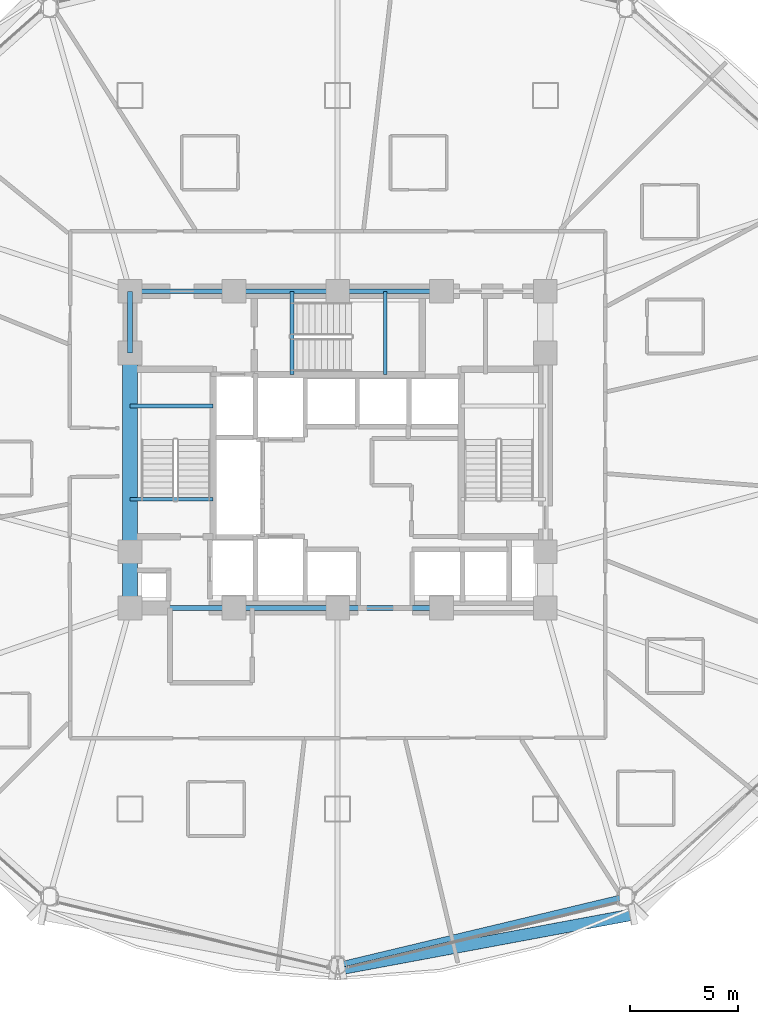
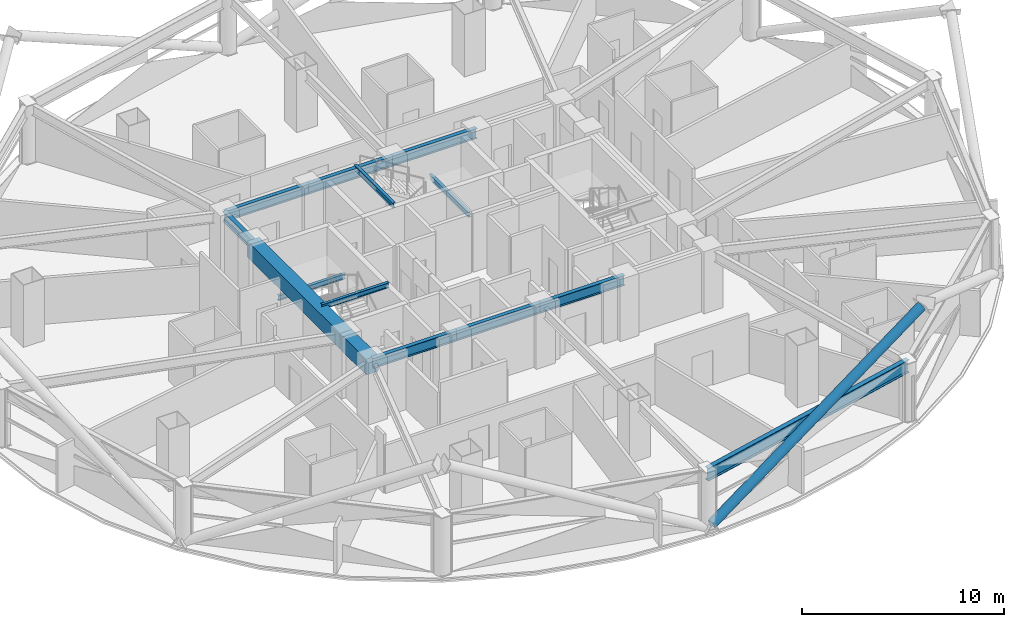
# One storey, part 9 of 30: 14 beams, 1 member.
"""IFC4 building model written with IfcOpenShell, lengths in metres."""

from ifc_helpers import new_model, si_unit, direction, frame, origin, origin_2d, place, context, subcontext, project, spatial, rectangle, hollow_circle, i_section, extrude, material, material_profile, profile_set, type_object, element, save


model = new_model("IFC4")

# Units and contexts
model_context = context("Model", 3, precision=1e-05, world=origin(), true_north=direction((0.0, 1.0)))
body_context = subcontext(model_context, "Body", "Model", "MODEL_VIEW")
ifc_project = project(units=[si_unit("LENGTHUNIT", "METRE"), si_unit("AREAUNIT", "SQUARE_METRE"), si_unit("VOLUMEUNIT", "CUBIC_METRE"), si_unit("PLANEANGLEUNIT", "RADIAN"), si_unit("MASSUNIT", "GRAM", prefix="KILO")], contexts=[model_context])

# Site, building, storey
site_placement = place(None, origin())
site = spatial("IfcSite", under=ifc_project, at=site_placement, CompositionType="ELEMENT")
building_placement = place(site_placement, origin())
building = spatial("IfcBuilding", under=site, at=building_placement, Name="Vantalir Tower", CompositionType="ELEMENT")
storey_placement = place(building_placement, frame((0.0, 0.0, 49.5)))
storey = spatial("IfcBuildingStorey", under=building, at=storey_placement, Name="L11", CompositionType="ELEMENT", Elevation=49.5)

# Beams
ifc_material_1 = material(Name="Concrete C60/75", Category="concrete")
ifc_material_profile_1 = material_profile(ifc_material_1, rectangle(XDim=0.699951171875, YDim=0.949951171875, at=origin_2d()), Name="Concrete C60/75")
ifc_profile_set_1 = profile_set([ifc_material_profile_1], Name="Concrete C60/75")
beam_type_1 = type_object("IfcBeamType", Name="BM-CB-700x950", PredefinedType="USERDEFINED", material=ifc_profile_set_1)
beam_1_placement = place(storey_placement, frame((21.89990234375, 29.60009765625, 3.094970703125), z_axis=(0.0, -1.0, 0.0), x_axis=(1.0, 0.0, 0.0)))
element("IfcBeam", 1, at=beam_1_placement, inside=storey, type_object=beam_type_1, Name="L11 Core Coupling Girder 13", ObjectType="GIRDER", PredefinedType="USERDEFINED", context=body_context, shape_type="SweptSolid", body=[
    extrude(rectangle(XDim=0.699951171875, YDim=0.949951171875, at=origin_2d()), origin(), (0.0, 0.0, 1.0), 9.2001953125),
])
beam_2_placement = place(storey_placement, frame((21.89990234375, 20.39990234375, 3.094970703125), z_axis=(0.0, -1.0, 0.0), x_axis=(1.0, 0.0, 0.0)))
element("IfcBeam", 2, at=beam_2_placement, inside=storey, type_object=beam_type_1, Name="L11 Core Coupling Girder 14", ObjectType="GIRDER", PredefinedType="USERDEFINED", context=body_context, shape_type="SweptSolid", body=[
    extrude(rectangle(XDim=0.699951171875, YDim=0.949951171875, at=origin_2d()), origin(), (0.0, 0.0, 1.0), 2.599853515625),
])
ifc_material_2 = material(Name="Steel S355", Category="steel")
ifc_material_profile_2 = material_profile(ifc_material_2, i_section(OverallWidth=0.166015625, OverallDepth=0.306884765625, WebThickness=0.006591796875, FlangeThickness=0.01171875, at=origin_2d()), Name="Steel S355")
ifc_profile_set_2 = profile_set([ifc_material_profile_2], Name="Steel S355")
beam_type_2 = type_object("IfcBeamType", Name="BM-JS-305x165", PredefinedType="JOIST", material=ifc_profile_set_2)
for number, where, z_axis, x_axis, name in (
    (3, (21.89990234375, 22.8349609375, 3.595947265625), (1.0, 0.0, 0.0), (0.0, 1.0, 0.0), "L12 Stair ST1 Well Nosing Trimmer Beam"),
    (4, (21.89990234375, 27.14501953125, 1.52099609375), (1.0, 0.0, 0.0), (0.0, 1.0, 0.0), "L11 Stair ST1 Half-Landing Support Beam"),
):
    element("IfcBeam", number, at=place(storey_placement, frame(where, z_axis=z_axis, x_axis=x_axis)), inside=storey, type_object=beam_type_2, Name=name, PredefinedType="JOIST", context=body_context, shape_type="SweptSolid", body=[
        extrude(i_section(OverallWidth=0.166015625, OverallDepth=0.306884765625, WebThickness=0.006591796875, FlangeThickness=0.01171875, at=origin_2d()), origin(), (0.0, 0.0, 1.0), 3.840087890625),
    ])
for number, where, z_axis, x_axis, name in (
    (5, (29.385009765625, 28.60009765625, 3.595947265625), (0.0, 1.0, 0.0), (-1.0, 0.0, 0.0), "L12 Stair ST3 Well Nosing Trimmer Beam"),
    (6, (33.695068359375, 28.60009765625, 1.52099609375), (0.0, 1.0, 0.0), (-1.0, 0.0, 0.0), "L11 Stair ST3 Half-Landing Support Beam"),
):
    element("IfcBeam", number, at=place(storey_placement, frame(where, z_axis=z_axis, x_axis=x_axis)), inside=storey, type_object=beam_type_2, Name=name, PredefinedType="JOIST", context=body_context, shape_type="SweptSolid", body=[
        extrude(i_section(OverallWidth=0.166015625, OverallDepth=0.306884765625, WebThickness=0.006591796875, FlangeThickness=0.01171875, at=origin_2d()), origin(), (0.0, 0.0, 1.0), 3.849853515625),
    ])
ifc_material_profile_3 = material_profile(ifc_material_2, i_section(OverallWidth=0.22998046875, OverallDepth=0.616943359375, WebThickness=0.01318359375, FlangeThickness=0.022216796875, at=origin_2d()), Name="Steel S355")
ifc_profile_set_3 = profile_set([ifc_material_profile_3], Name="Steel S355")
beam_type_3 = type_object("IfcBeamType", Name="BM-RB-610x229", PredefinedType="BEAM", material=ifc_profile_set_3)
for number, where, z_axis, x_axis, name in (
    (7, (21.89990234375, 17.800048828125, 3.261962890625), (1.0, 0.0, 0.0), (0.0, 1.0, 0.0), "L11 Core Coupling Girder 01"),
    (8, (26.699951171875, 17.800048828125, 3.261962890625), (1.0, 0.0, 0.0), (0.0, 1.0, 0.0), "L11 Core Coupling Girder 02"),
    (9, (31.5, 17.800048828125, 3.261962890625), (1.0, 0.0, 0.0), (0.0, 1.0, 0.0), "L11 Core Coupling Girder 03"),
    (10, (36.300048828125, 32.449951171875, 3.261962890625), (-1.0, 0.0, 0.0), (0.0, -1.0, 0.0), "L11 Core Coupling Girder 09"),
    (11, (31.5, 32.449951171875, 3.261962890625), (-1.0, 0.0, 0.0), (0.0, -1.0, 0.0), "L11 Core Coupling Girder 10"),
    (12, (26.699951171875, 32.449951171875, 3.261962890625), (-1.0, 0.0, 0.0), (0.0, -1.0, 0.0), "L11 Core Coupling Girder 11"),
):
    element("IfcBeam", number, at=place(storey_placement, frame(where, z_axis=z_axis, x_axis=x_axis)), inside=storey, type_object=beam_type_3, Name=name, PredefinedType="BEAM", context=body_context, shape_type="SweptSolid", body=[
        extrude(i_section(OverallWidth=0.22998046875, OverallDepth=0.616943359375, WebThickness=0.01318359375, FlangeThickness=0.022216796875, at=origin_2d()), origin(), (0.0, 0.0, 1.0), 4.800048828125),
    ])
beam_3_placement = place(storey_placement, frame((21.89990234375, 32.449951171875, 3.261962890625), z_axis=(0.0, -1.0, 0.0), x_axis=(1.0, 0.0, 0.0)))
element("IfcBeam", 13, at=beam_3_placement, inside=storey, type_object=beam_type_3, Name="L11 Core Coupling Girder 12", PredefinedType="BEAM", context=body_context, shape_type="SweptSolid", body=[
    extrude(i_section(OverallWidth=0.22998046875, OverallDepth=0.616943359375, WebThickness=0.01318359375, FlangeThickness=0.022216796875, at=origin_2d()), origin(), (0.0, 0.0, 1.0), 2.849853515625),
])
ifc_material_3 = material(Name="Steel S460", Category="steel")
ifc_material_profile_4 = material_profile(ifc_material_3, i_section(OverallWidth=0.26806640625, OverallDepth=0.77001953125, WebThickness=0.015625, FlangeThickness=0.025390625, at=origin_2d()), Name="Steel S460")
ifc_profile_set_4 = profile_set([ifc_material_profile_4], Name="Steel S460")
beam_type_4 = type_object("IfcBeamType", Name="BM-RG-762x267", PredefinedType="USERDEFINED", material=ifc_profile_set_4)
beam_4_placement = place(storey_placement, frame((31.5, 1.27392578125, 3.18505859375), z_axis=(0.972682503887, 0.232139498215, 0.0), x_axis=(-0.232139498215, 0.972682503887, 0.0)))
element("IfcBeam", 14, at=beam_4_placement, inside=storey, type_object=beam_type_4, Name="L11 Circumferential Ring Girder 10", ObjectType="GIRDER", PredefinedType="USERDEFINED", context=body_context, shape_type="SweptSolid", body=[
    extrude(i_section(OverallWidth=0.26806640625, OverallDepth=0.77001953125, WebThickness=0.015625, FlangeThickness=0.025390625, at=origin_2d()), origin(), (0.0, 0.0, 1.0), 13.694091796875),
])

# Member
ifc_material_profile_5 = material_profile(ifc_material_3, hollow_circle(Radius=0.27001953125, WallThickness=0.044921875, at=origin_2d()), Name="Steel S460")
ifc_profile_set_5 = profile_set([ifc_material_profile_5], Name="Steel S460")
member_type = type_object("IfcMemberType", Name="MEM-DB-540x45", PredefinedType="BRACE", material=ifc_profile_set_5)
member_placement = place(storey_placement, frame((31.693115234375, 1.1201171875, 0.179931640625), z_axis=(0.876008950765, 0.163265692617, 0.453820043403), x_axis=(-0.183219515229, 0.983072026476, 0.0)))
element("IfcMember", 15, at=member_placement, inside=storey, type_object=member_type, Name="L11 Perimeter S460 Diagrid Brace R28L", PredefinedType="BRACE", context=body_context, shape_type="SweptSolid", body=[
    extrude(hollow_circle(Radius=0.27001953125, WallThickness=0.044921875, at=origin_2d()), origin(), (0.0, 0.0, 1.0), 15.33642578125),
])

save(model, "model.ifc")
